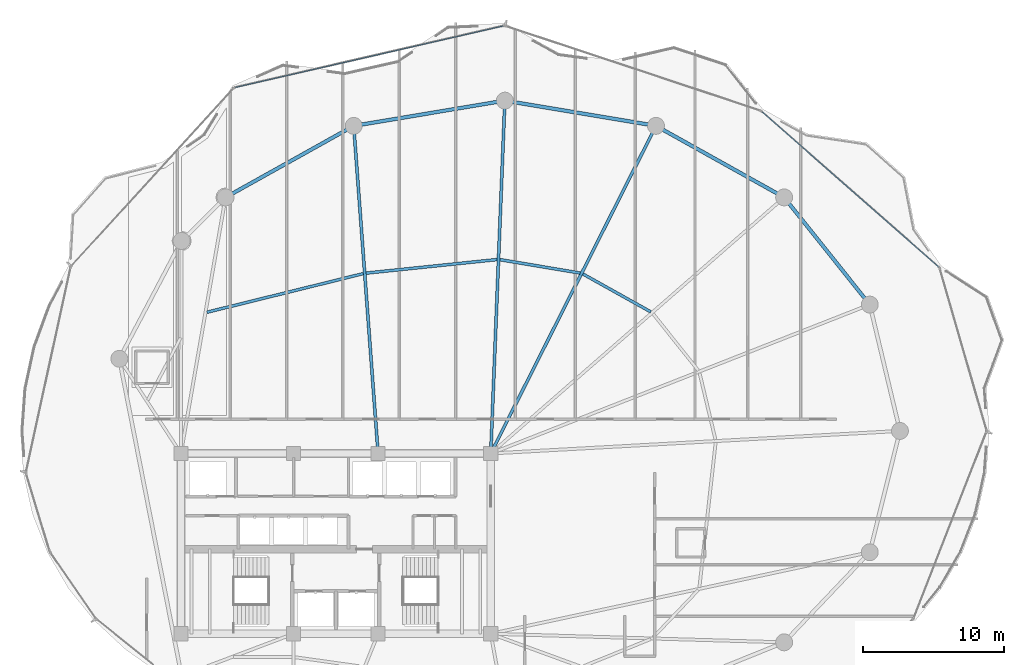
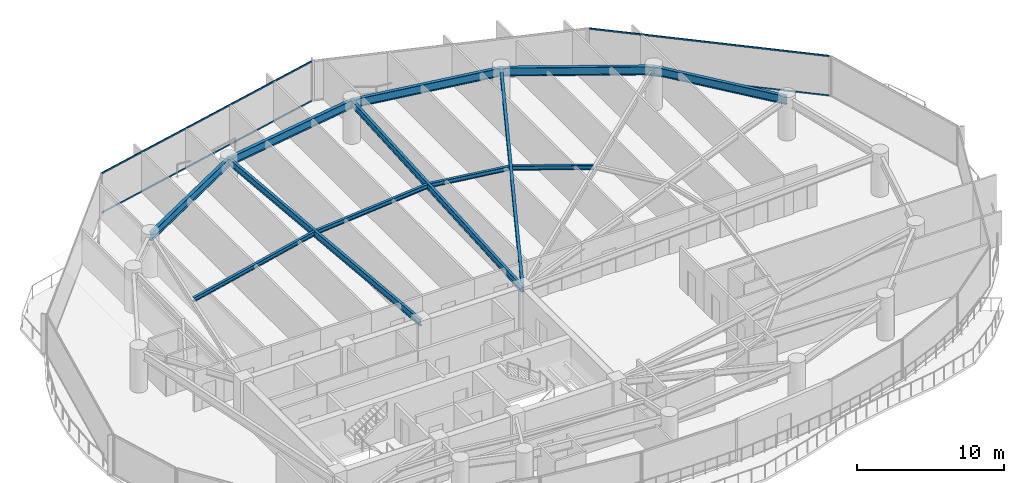
# One storey, part 20 of 34: 12 beams, 4 members, 2 elements without a shape of their own.
"""IFC4 building model written with IfcOpenShell, lengths in metres."""

from ifc_helpers import new_model, si_unit, direction, frame, origin, origin_2d, place, context, subcontext, project, spatial, hollow_rectangle, i_section, extrude, material, layer, layer_set, material_profile, profile_set, type_object, element, aggregate, save


model = new_model("IFC4")

# Units and contexts
model_context = context("Model", 3, precision=1e-05, world=origin(), true_north=direction((0.0, 1.0)))
body_context = subcontext(model_context, "Body", "Model", "MODEL_VIEW")
ifc_project = project(units=[si_unit("LENGTHUNIT", "METRE"), si_unit("AREAUNIT", "SQUARE_METRE"), si_unit("VOLUMEUNIT", "CUBIC_METRE"), si_unit("PLANEANGLEUNIT", "RADIAN"), si_unit("MASSUNIT", "GRAM", prefix="KILO")], contexts=[model_context])

# Site, building, storey
site_placement = place(None, origin())
site = spatial("IfcSite", under=ifc_project, at=site_placement, CompositionType="ELEMENT")
building_placement = place(site_placement, origin())
building = spatial("IfcBuilding", under=site, at=building_placement, Name="Kazevale Care Tower and Concert Hall", CompositionType="ELEMENT")
storey_placement = place(building_placement, frame((0.0, 0.0, 160.199951171875)))
storey = spatial("IfcBuildingStorey", under=building, at=storey_placement, Name="L42", CompositionType="ELEMENT", Elevation=160.199951171875)

# Curtain wall, members
ifc_material_1 = material(Name="Aluminium 6063-T6 and Low-E Glass", Category="aluminium")
ifc_layer = layer(ifc_material_1, 0.179931640625)
ifc_layer_set = layer_set([ifc_layer], Name="Aluminium 6063-T6 and Low-E Glass")
curtain_wall_type = type_object("IfcCurtainWallType", Name="Convex Recessed Sunroom Curtain Wall CW-3", PredefinedType="NOTDEFINED", material=ifc_layer_set)
curtain_wall_1_placement = place(storey_placement, origin())
curtain_wall_1 = element("IfcCurtainWall", 1, at=curtain_wall_1_placement, inside=storey, type_object=curtain_wall_type, Name="cw:L42:f15", PredefinedType="NOTDEFINED")
ifc_material_2 = material(Name="Aluminium 6063-T6", Category="aluminium")
ifc_material_profile_1 = material_profile(ifc_material_2, hollow_rectangle(XDim=0.074951171875, YDim=0.1201171875, WallThickness=0.00390625, at=origin_2d()), Name="ALU75x120x4")
ifc_profile_set_1 = profile_set([ifc_material_profile_1], Name="Aluminium 6063-T6")
member_type = type_object("IfcMemberType", Name="CW-3 Transom ALU75x120x4", PredefinedType="USERDEFINED", material=ifc_profile_set_1)
member_1_placement = place(storey_placement, frame((25.857177734375, 62.38671875, 0.03759765625), z_axis=(0.974688165128, 0.22356873833, 0.0), x_axis=(-0.22356873833, 0.974688165128, 0.0)))
member_1 = element("IfcMember", 2, at=member_1_placement, type_object=member_type, Name="CW-3 transom 1.1", ObjectType="TRANSOM", PredefinedType="USERDEFINED", context=body_context, shape_type="SweptSolid", body=[
    extrude(hollow_rectangle(XDim=0.074951171875, YDim=0.1201171875, WallThickness=0.00390625, at=origin_2d()), origin(), (0.0, 0.0, 1.0), 19.52197265625),
])
member_2_placement = place(storey_placement, frame((25.857177734375, 62.38671875, 3.322509765625), z_axis=(0.974688165128, 0.22356873833, 0.0), x_axis=(-0.22356873833, 0.974688165128, 0.0)))
member_2 = element("IfcMember", 3, at=member_2_placement, type_object=member_type, Name="CW-3 transom 1.2", ObjectType="TRANSOM", PredefinedType="USERDEFINED", context=body_context, shape_type="SweptSolid", body=[
    extrude(hollow_rectangle(XDim=0.074951171875, YDim=0.1201171875, WallThickness=0.00390625, at=origin_2d()), origin(), (0.0, 0.0, 1.0), 19.52197265625),
])
aggregate(curtain_wall_1, [member_1, member_2])

curtain_wall_2_placement = place(storey_placement, origin())
curtain_wall_2 = element("IfcCurtainWall", 4, at=curtain_wall_2_placement, inside=storey, type_object=curtain_wall_type, Name="cw:L42:f17", PredefinedType="NOTDEFINED")
member_3_placement = place(storey_placement, frame((63.2392578125, 60.672607421875, 0.03759765625), z_axis=(0.751360456021, -0.659892010202, 0.0), x_axis=(0.659892010202, 0.751360456021, 0.0)))
member_3 = element("IfcMember", 5, at=member_3_placement, type_object=member_type, Name="CW-3 transom 1.1", ObjectType="TRANSOM", PredefinedType="USERDEFINED", context=body_context, shape_type="SweptSolid", body=[
    extrude(hollow_rectangle(XDim=0.074951171875, YDim=0.1201171875, WallThickness=0.00390625, at=origin_2d()), origin(), (0.0, 0.0, 1.0), 16.72998046875),
])
member_4_placement = place(storey_placement, frame((63.2392578125, 60.672607421875, 3.322509765625), z_axis=(0.751360456021, -0.659892010202, 0.0), x_axis=(0.659892010202, 0.751360456021, 0.0)))
member_4 = element("IfcMember", 6, at=member_4_placement, type_object=member_type, Name="CW-3 transom 1.2", ObjectType="TRANSOM", PredefinedType="USERDEFINED", context=body_context, shape_type="SweptSolid", body=[
    extrude(hollow_rectangle(XDim=0.074951171875, YDim=0.1201171875, WallThickness=0.00390625, at=origin_2d()), origin(), (0.0, 0.0, 1.0), 16.72998046875),
])
aggregate(curtain_wall_2, [member_3, member_4])

# Beams
ifc_material_3 = material(Name="Steel ASTM A572 Gr 50", Category="steel")
ifc_material_profile_2 = material_profile(ifc_material_3, i_section(OverallWidth=0.2119140625, OverallDepth=0.5439453125, WebThickness=0.01318359375, FlangeThickness=0.021240234375, at=origin_2d()), Name="W530x123")
ifc_profile_set_2 = profile_set([ifc_material_profile_2], Name="Steel ASTM A572 Gr 50")
beam_type_1 = type_object("IfcBeamType", Name="Radial Floor Girder W530x123", PredefinedType="BEAM", material=ifc_profile_set_2)
beam_1_placement = place(storey_placement, frame((44.0, 36.39990234375, 3.088134765625), z_axis=(0.450281187568, 0.892886808124, 0.0), x_axis=(-0.892886808124, 0.450281187568, 0.0)))
element("IfcBeam", 7, at=beam_1_placement, inside=storey, type_object=beam_type_1, Name="beam:L42:rad:04", PredefinedType="BEAM", context=body_context, shape_type="SweptSolid", body=[
    extrude(i_section(OverallWidth=0.2119140625, OverallDepth=0.5439453125, WebThickness=0.01318359375, FlangeThickness=0.021240234375, at=origin_2d()), origin(), (0.0, 0.0, 1.0), 26.05029296875),
])
beam_2_placement = place(storey_placement, frame((44.0, 36.39990234375, 3.088134765625), z_axis=(0.039888311255, 0.99920414462, 0.0), x_axis=(-0.99920414462, 0.039888311255, 0.0)))
element("IfcBeam", 8, at=beam_2_placement, inside=storey, type_object=beam_type_1, Name="beam:L42:rad:05", PredefinedType="BEAM", context=body_context, shape_type="SweptSolid", body=[
    extrude(i_section(OverallWidth=0.2119140625, OverallDepth=0.5439453125, WebThickness=0.01318359375, FlangeThickness=0.021240234375, at=origin_2d()), origin(), (0.0, 0.0, 1.0), 25.070068359375),
])
beam_3_placement = place(storey_placement, frame((36.0, 36.39990234375, 3.088134765625), z_axis=(-0.074170876808, 0.997245547011, 0.0), x_axis=(-0.997245547011, -0.074170876808, 0.0)))
element("IfcBeam", 9, at=beam_3_placement, inside=storey, type_object=beam_type_1, Name="beam:L42:rad:06", PredefinedType="BEAM", context=body_context, shape_type="SweptSolid", body=[
    extrude(i_section(OverallWidth=0.2119140625, OverallDepth=0.5439453125, WebThickness=0.01318359375, FlangeThickness=0.021240234375, at=origin_2d()), origin(), (0.0, 0.0, 1.0), 23.32421875),
])
ifc_material_profile_3 = material_profile(ifc_material_3, i_section(OverallWidth=0.205078125, OverallDepth=0.35400390625, WebThickness=0.009521484375, FlangeThickness=0.016845703125, at=origin_2d()), Name="W360x79")
ifc_profile_set_3 = profile_set([ifc_material_profile_3], Name="Steel ASTM A572 Gr 50")
beam_type_2 = type_object("IfcBeamType", Name="Secondary Floor Joist W360x79", PredefinedType="JOIST", material=ifc_profile_set_3)
beam_4_placement = place(storey_placement, frame((55.364990234375, 46.449951171875, 3.18310546875), z_axis=(-0.873137755824, 0.487473547338, 0.0), x_axis=(-0.487473547338, -0.873137755824, 0.0)))
element("IfcBeam", 10, at=beam_4_placement, inside=storey, type_object=beam_type_2, Name="beam:L42:joist:03", PredefinedType="JOIST", context=body_context, shape_type="SweptSolid", body=[
    extrude(i_section(OverallWidth=0.205078125, OverallDepth=0.35400390625, WebThickness=0.009521484375, FlangeThickness=0.016845703125, at=origin_2d()), origin(), (0.0, 0.0, 1.0), 5.522705078125),
])
beam_5_placement = place(storey_placement, frame((50.347900390625, 49.2099609375, 3.18310546875), z_axis=(-0.986366476547, 0.164563586324, 0.0), x_axis=(-0.164563586324, -0.986366476547, 0.0)))
element("IfcBeam", 11, at=beam_5_placement, inside=storey, type_object=beam_type_2, Name="beam:L42:joist:04", PredefinedType="JOIST", context=body_context, shape_type="SweptSolid", body=[
    extrude(i_section(OverallWidth=0.205078125, OverallDepth=0.35400390625, WebThickness=0.009521484375, FlangeThickness=0.016845703125, at=origin_2d()), origin(), (0.0, 0.0, 1.0), 5.7724609375),
])
beam_6_placement = place(storey_placement, frame((44.446044921875, 50.1669921875, 3.18310546875), z_axis=(-0.994674810104, -0.10306319491, 0.0), x_axis=(0.10306319491, -0.994674810104, 0.0)))
element("IfcBeam", 12, at=beam_6_placement, inside=storey, type_object=beam_type_2, Name="beam:L42:joist:05", PredefinedType="JOIST", context=body_context, shape_type="SweptSolid", body=[
    extrude(i_section(OverallWidth=0.205078125, OverallDepth=0.35400390625, WebThickness=0.009521484375, FlangeThickness=0.016845703125, at=origin_2d()), origin(), (0.0, 0.0, 1.0), 9.3427734375),
])
beam_7_placement = place(storey_placement, frame((34.947021484375, 49.16796875, 3.18310546875), z_axis=(-0.970789504014, -0.239932779954, 0.0), x_axis=(0.239932779954, -0.970789504014, 0.0)))
element("IfcBeam", 13, at=beam_7_placement, inside=storey, type_object=beam_type_2, Name="beam:L42:joist:06", PredefinedType="JOIST", context=body_context, shape_type="SweptSolid", body=[
    extrude(i_section(OverallWidth=0.205078125, OverallDepth=0.35400390625, WebThickness=0.009521484375, FlangeThickness=0.016845703125, at=origin_2d()), origin(), (0.0, 0.0, 1.0), 11.43603515625),
])
ifc_material_profile_4 = material_profile(ifc_material_3, i_section(OverallWidth=0.256103515625, OverallDepth=0.693115234375, WebThickness=0.014404296875, FlangeThickness=0.023681640625, at=origin_2d()), Name="W690x170")
ifc_profile_set_4 = profile_set([ifc_material_profile_4], Name="Steel ASTM A572 Gr 50")
beam_type_3 = type_object("IfcBeamType", Name="Waist Ring Beam W690x170", PredefinedType="BEAM", material=ifc_profile_set_4)
beam_8_placement = place(storey_placement, frame((70.909912109375, 46.969970703125, 3.013427734375), z_axis=(-0.624178340034, 0.781281895242, 0.0), x_axis=(-0.781281895242, -0.624178340034, 0.0)))
element("IfcBeam", 14, at=beam_8_placement, inside=storey, type_object=beam_type_3, Name="beam:L42:ring:02", PredefinedType="BEAM", context=body_context, shape_type="SweptSolid", body=[
    extrude(i_section(OverallWidth=0.256103515625, OverallDepth=0.693115234375, WebThickness=0.014404296875, FlangeThickness=0.023681640625, at=origin_2d()), origin(), (0.0, 0.0, 1.0), 9.740478515625),
])
beam_9_placement = place(storey_placement, frame((64.830078125, 54.580078125, 3.013427734375), z_axis=(-0.873168720251, 0.487418081297, 0.0), x_axis=(-0.487418081297, -0.873168720251, 0.0)))
element("IfcBeam", 15, at=beam_9_placement, inside=storey, type_object=beam_type_3, Name="beam:L42:ring:03", PredefinedType="BEAM", context=body_context, shape_type="SweptSolid", body=[
    extrude(i_section(OverallWidth=0.256103515625, OverallDepth=0.693115234375, WebThickness=0.014404296875, FlangeThickness=0.023681640625, at=origin_2d()), origin(), (0.0, 0.0, 1.0), 10.421875),
])
for number, where, z_axis, x_axis, name in (
    (16, (55.72998046875, 59.659912109375, 3.013427734375), (-0.986368436187, 0.164551840139, 0.0), (-0.164551840139, -0.986368436187, 0.0), "beam:L42:ring:04"),
    (17, (45.0, 61.449951171875, 3.013427734375), (-0.986368436187, -0.164551840139, 0.0), (0.164551840139, -0.986368436187, 0.0), "beam:L42:ring:05"),
):
    element("IfcBeam", number, at=place(storey_placement, frame(where, z_axis=z_axis, x_axis=x_axis)), inside=storey, type_object=beam_type_3, Name=name, PredefinedType="BEAM", context=body_context, shape_type="SweptSolid", body=[
        extrude(i_section(OverallWidth=0.256103515625, OverallDepth=0.693115234375, WebThickness=0.014404296875, FlangeThickness=0.023681640625, at=origin_2d()), origin(), (0.0, 0.0, 1.0), 10.878173828125),
    ])
beam_10_placement = place(storey_placement, frame((34.27001953125, 59.659912109375, 3.013427734375), z_axis=(-0.873168720251, -0.487418081297, 0.0), x_axis=(0.487418081297, -0.873168720251, 0.0)))
element("IfcBeam", 18, at=beam_10_placement, inside=storey, type_object=beam_type_3, Name="beam:L42:ring:06", PredefinedType="BEAM", context=body_context, shape_type="SweptSolid", body=[
    extrude(i_section(OverallWidth=0.256103515625, OverallDepth=0.693115234375, WebThickness=0.014404296875, FlangeThickness=0.023681640625, at=origin_2d()), origin(), (0.0, 0.0, 1.0), 10.421875),
])

save(model, "model.ifc")
